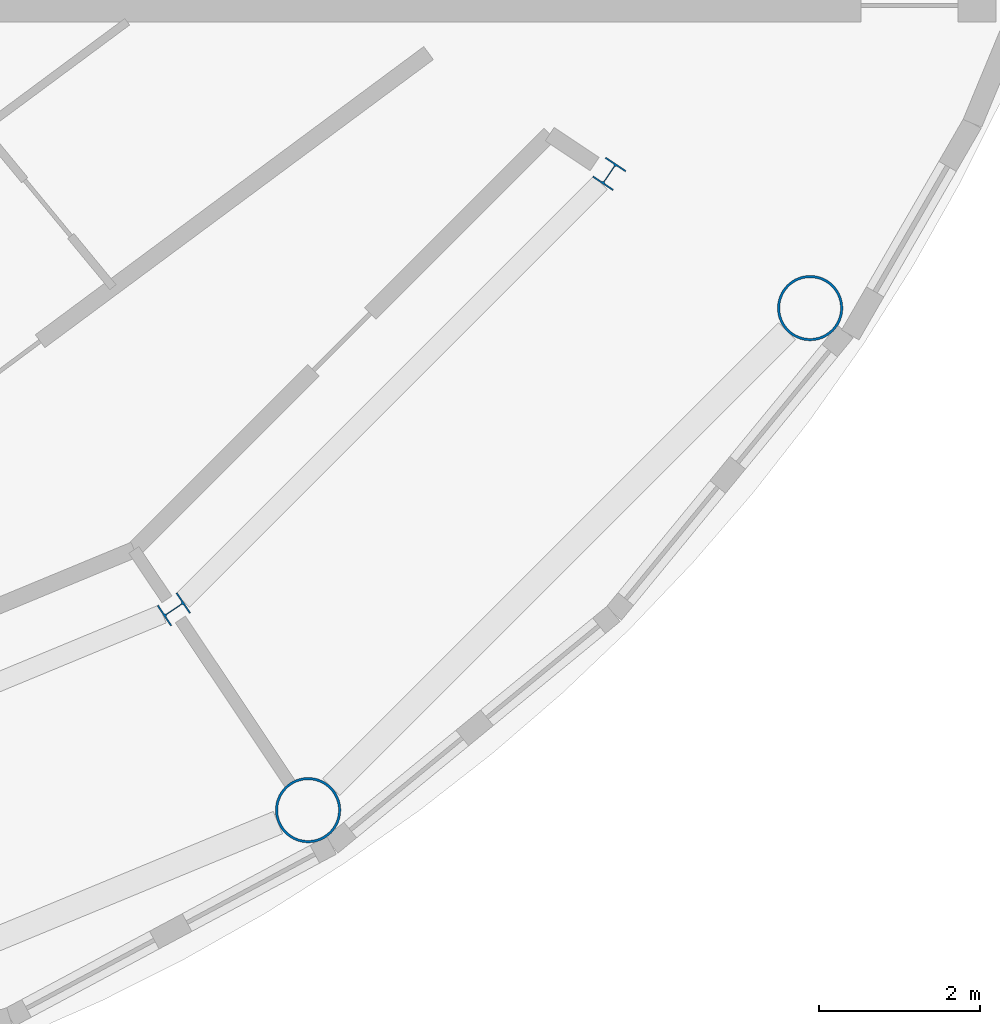
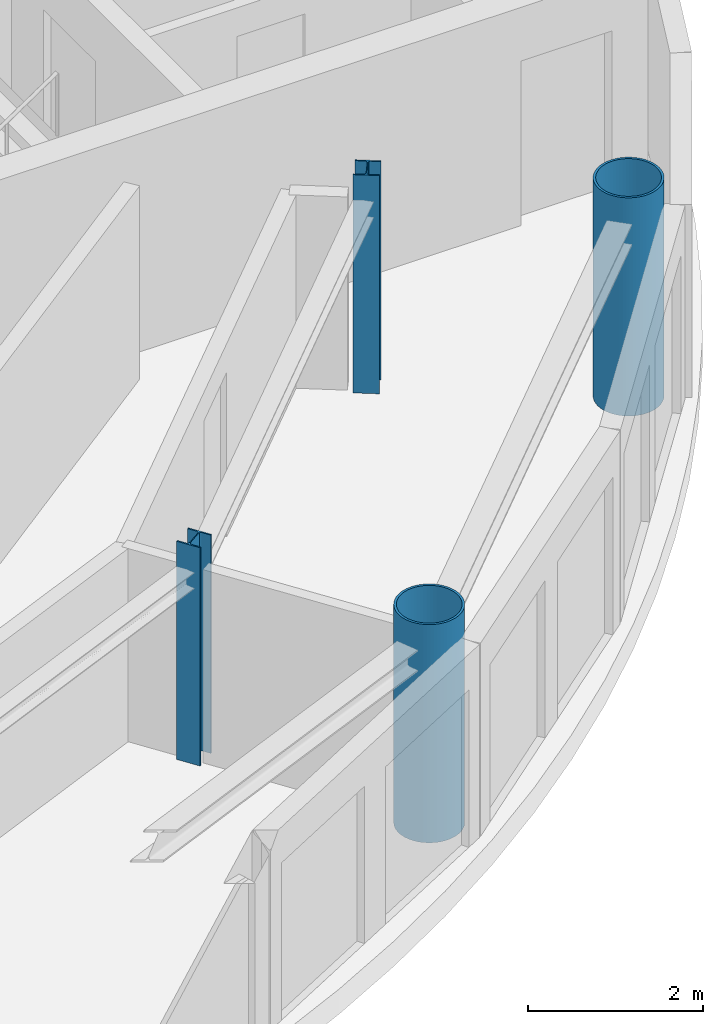
# One storey, part 3 of 17: 4 columns.
"""IFC4 building model written with IfcOpenShell, lengths in metres."""

import ifcopenshell
import ifcopenshell.guid

model = None  # the IFC model being written
_history = None  # IfcOwnerHistory: only IFC2X3 demands one
_inside = {}  # id of a spatial element -> (the spatial element, [elements in it])
_under = {}  # id of a project, library or spatial element -> (it, [spatial elements below it])
_declared = {}  # id of a project -> (the project, [libraries it declares])
_typed = {}  # id of a type object -> (the type object, [elements of that type])
_made_of = {}  # id of a material, layer set ... -> (it, [elements and type objects made of it])


def new_model(schema):
    """Start an empty IFC model of exactly this schema.

    Asked for "IFC4X3", IfcOpenShell would pick the latest addendum, in which some entities
    have other attributes; the version numbers below select the first issue.
    IFC2X3 requires an IfcOwnerHistory on every rooted entity: one is made here for all.
    """
    global model, _history
    if schema == "IFC4X3":
        model = ifcopenshell.file(schema_version=(4, 3, 0, 0))
    else:
        model = ifcopenshell.file(schema=schema)
    _inside.clear()
    _under.clear()
    _declared.clear()
    _typed.clear()
    _made_of.clear()
    _history = None
    if model.schema == "IFC2X3":
        org = make("IfcOrganization", Name="unknown")
        user = make(
            "IfcPersonAndOrganization",
            ThePerson=make("IfcPerson", FamilyName="unknown"),
            TheOrganization=org,
        )
        app = make(
            "IfcApplication",
            ApplicationDeveloper=org,
            Version="unknown",
            ApplicationFullName="unknown",
            ApplicationIdentifier="unknown",
        )
        _history = make(
            "IfcOwnerHistory",
            OwningUser=user,
            OwningApplication=app,
            ChangeAction="ADDED",
            CreationDate=0,
        )
    return model


def make(cls, **values):
    """One entity of the class cls with the attributes given. An attribute that is None is left unset."""
    return model.create_entity(
        cls, **{name: value for name, value in values.items() if value is not None}
    )


def rooted(cls, **values):
    """An entity with a GlobalId (a new one), such as an element, a storey or a relation."""
    return make(cls, GlobalId=ifcopenshell.guid.new(), OwnerHistory=_history, **values)


def si_unit(unit_type, name, prefix=None):
    """IfcSIUnit, for example si_unit("LENGTHUNIT", "METRE", prefix="MILLI")."""
    return make("IfcSIUnit", UnitType=unit_type, Prefix=prefix, Name=name)


def assignment(units):
    """IfcUnitAssignment: the units of a project."""
    return None if units is None else make("IfcUnitAssignment", Units=units)


def point(xyz):
    """IfcCartesianPoint."""
    return None if xyz is None else make("IfcCartesianPoint", Coordinates=xyz)


def direction(xyz):
    """IfcDirection."""
    return None if xyz is None else make("IfcDirection", DirectionRatios=xyz)


def frame(location, z_axis=None, x_axis=None):
    """IfcAxis2Placement3D, a coordinate frame: its origin and axes. An axis left out is left unset."""
    return make(
        "IfcAxis2Placement3D",
        Location=point(location),
        Axis=direction(z_axis),
        RefDirection=direction(x_axis),
    )


def frame_2d(location, x_axis=None):
    """IfcAxis2Placement2D, a coordinate frame in the plane: its origin and x axis."""
    return make(
        "IfcAxis2Placement2D", Location=point(location), RefDirection=direction(x_axis)
    )


def origin():
    """The frame at (0, 0, 0) with its axes left unset."""
    return frame((0.0, 0.0, 0.0))


def origin_2d():
    """The frame at (0, 0) in the plane with its x axis left unset."""
    return frame_2d((0.0, 0.0))


def place(relative_to, where):
    """IfcLocalPlacement: puts the frame where relative to a parent placement (None: the world)."""
    return make(
        "IfcLocalPlacement", PlacementRelTo=relative_to, RelativePlacement=where
    )


def context(
    kind, dimensions, precision=None, world=None, true_north=None, identifier=None
):
    """IfcGeometricRepresentationContext, for example the 3D "Model" context."""
    return make(
        "IfcGeometricRepresentationContext",
        ContextIdentifier=identifier,
        ContextType=kind,
        CoordinateSpaceDimension=dimensions,
        Precision=precision,
        WorldCoordinateSystem=world,
        TrueNorth=true_north,
    )


def subcontext(parent, identifier, kind, view, scale=None):
    """IfcGeometricRepresentationSubContext, for example "Body" below "Model"."""
    return make(
        "IfcGeometricRepresentationSubContext",
        ContextIdentifier=identifier,
        ContextType=kind,
        ParentContext=parent,
        TargetScale=scale,
        TargetView=view,
    )


def project(units=None, contexts=None):
    """IfcProject with its units and contexts."""
    return rooted(
        "IfcProject",
        Name="project",
        RepresentationContexts=contexts,
        UnitsInContext=assignment(units),
    )


def spatial(cls, under=None, at=None, **own):
    """A site, building, storey or space (cls), placed at a placement, below another one or the project."""
    s = rooted(cls, ObjectPlacement=at, **own)
    if under is not None:
        _under.setdefault(under.id(), (under, []))[1].append(s)
    return s


def profile(cls, at=None, kind="AREA", **sizes):
    """A parametric profile (cls). Its sizes go by their IFC names, for example OverallWidth=200.0."""
    return make(cls, ProfileType=kind, Position=at, **sizes)


def hollow_circle(**sizes):
    """IfcCircleHollowProfileDef."""
    return profile("IfcCircleHollowProfileDef", **sizes)


def i_section(**sizes):
    """IfcIShapeProfileDef."""
    return profile("IfcIShapeProfileDef", **sizes)


def extrude(swept, where, along, depth):
    """IfcExtrudedAreaSolid: the profile swept, set in the frame where, extruded along a direction by depth."""
    return make(
        "IfcExtrudedAreaSolid",
        SweptArea=swept,
        Position=where,
        ExtrudedDirection=direction(along),
        Depth=depth,
    )


def shape(context_of_items, identifier, shape_type, items):
    """IfcShapeRepresentation: the items that make up one representation, for example the "Body"."""
    return make(
        "IfcShapeRepresentation",
        ContextOfItems=context_of_items,
        RepresentationIdentifier=identifier,
        RepresentationType=shape_type,
        Items=items,
    )


def material(Name=None, Category=None):
    """IfcMaterial."""
    return make("IfcMaterial", Name=Name, Category=Category)


def material_profile(
    of_material, cross_section, Name=None, Category=None, Priority=None
):
    """IfcMaterialProfile: a cross section and its material."""
    return make(
        "IfcMaterialProfile",
        Name=Name,
        Material=of_material,
        Profile=cross_section,
        Priority=Priority,
        Category=Category,
    )


def profile_set(profiles, Name=None, composite=None):
    """IfcMaterialProfileSet."""
    return make(
        "IfcMaterialProfileSet",
        Name=Name,
        MaterialProfiles=profiles,
        CompositeProfile=composite,
    )


def made_of(thing, what):
    """Note that an element or type object is made of a material, layer set ...; save() writes the relation."""
    if what is not None:
        _made_of.setdefault(what.id(), (what, []))[1].append(thing)
    return thing


def type_object(cls, material=None, **own):
    """A type object (cls), such as IfcWallType, which elements share."""
    return made_of(rooted(cls, **own), material)


def element(
    cls,
    number,
    at=None,
    inside=None,
    cuts=None,
    type_object=None,
    material=None,
    context=None,
    identifier="Body",
    shape_type=None,
    held_by="IfcProductDefinitionShape",
    body=None,
    shapes=None,
    **own,
):
    """One element of the class cls, such as IfcWall. Its Tag is "e" and its number.

    at: its placement. inside: the storey or other place that contains it. cuts: it is an
    opening in that element (IfcRelVoidsElement). A single representation is given by context,
    identifier, shape_type and body (its items); several are given by shapes. held_by: the class
    of the entity that holds the representations. save() writes the other relations.
    """
    e = rooted(cls, Tag="e%d" % number, ObjectPlacement=at, **own)
    if body is not None:
        shapes = [shape(context, identifier, shape_type, body)]
    if shapes is not None:
        e.Representation = make(held_by, Representations=shapes)
    if inside is not None:
        _inside.setdefault(inside.id(), (inside, []))[1].append(e)
    if cuts is not None:
        rooted(
            "IfcRelVoidsElement", RelatingBuildingElement=cuts, RelatedOpeningElement=e
        )
    if type_object is not None:
        _typed.setdefault(type_object.id(), (type_object, []))[1].append(e)
    return made_of(e, material)


def aggregate(whole, parts):
    """IfcRelAggregates: a whole, such as a stair, and the parts it consists of."""
    return rooted("IfcRelAggregates", RelatingObject=whole, RelatedObjects=parts)


def save(model, path):
    """Write the relations noted so far, then the file.

    IfcRelAggregates (storeys below a building ...), IfcRelContainedInSpatialStructure (elements
    in a storey), IfcRelDefinesByType, IfcRelAssociatesMaterial and IfcRelDeclares: one each for
    every whole, place, type object, material and project.
    """
    for whole, parts in _under.values():
        aggregate(whole, parts)
    for where, things in _inside.values():
        rooted(
            "IfcRelContainedInSpatialStructure",
            RelatedElements=things,
            RelatingStructure=where,
        )
    for kind, things in _typed.values():
        rooted("IfcRelDefinesByType", RelatedObjects=things, RelatingType=kind)
    for what, things in _made_of.values():
        rooted("IfcRelAssociatesMaterial", RelatedObjects=things, RelatingMaterial=what)
    for by, libraries in _declared.values():
        rooted("IfcRelDeclares", RelatingContext=by, RelatedDefinitions=libraries)
    model.write(path)


model = new_model("IFC4")

# Units and contexts
model_context = context("Model", 3, precision=1e-05, world=origin(), true_north=direction((0.0, 1.0)))
body_context = subcontext(model_context, "Body", "Model", "MODEL_VIEW")
ifc_project = project(units=[si_unit("LENGTHUNIT", "METRE"), si_unit("AREAUNIT", "SQUARE_METRE"), si_unit("VOLUMEUNIT", "CUBIC_METRE"), si_unit("PLANEANGLEUNIT", "RADIAN"), si_unit("MASSUNIT", "GRAM", prefix="KILO")], contexts=[model_context])

# Site, building, storey
site_placement = place(None, origin())
site = spatial("IfcSite", under=ifc_project, at=site_placement, CompositionType="ELEMENT")
building_placement = place(site_placement, origin())
building = spatial("IfcBuilding", under=site, at=building_placement, Name="Maasbend Ring Residences", CompositionType="ELEMENT")
storey_placement = place(building_placement, frame((0.0, 0.0, 249.300048828125)))
storey = spatial("IfcBuildingStorey", under=building, at=storey_placement, Name="L72", CompositionType="ELEMENT", Elevation=249.300048828125)

# Columns
ifc_material_1 = material(Name="Composite concrete-filled steel tube S460NH / C80/95", Category="concrete")
ifc_material_profile_1 = material_profile(ifc_material_1, hollow_circle(Radius=0.406494140625, WallThickness=0.030029296875, at=origin_2d()), Name="Composite tube column CHS 813x30")
ifc_profile_set_1 = profile_set([ifc_material_profile_1], Name="Composite concrete-filled steel tube S460NH / C80/95")
column_type_1 = type_object("IfcColumnType", Name="Composite tube column CHS 813x30", PredefinedType="COLUMN", material=ifc_profile_set_1)
for number, where, z_axis, x_axis, name in (
    (1, (12.555908203125, -18.791259765625, 0.0), (0.0, 0.0, 1.0), (1.0, 0.0, 0.0), "Outer column R14"),
    (2, (18.791259765625, -12.555908203125, 0.0), (0.0, 0.0, 1.0), (1.0, 0.0, 0.0), "Outer column R15"),
):
    element("IfcColumn", number, at=place(storey_placement, frame(where, z_axis=z_axis, x_axis=x_axis)), inside=storey, type_object=column_type_1, Name=name, PredefinedType="COLUMN", context=body_context, shape_type="SweptSolid", body=[
        extrude(hollow_circle(Radius=0.406494140625, WallThickness=0.030029296875, at=origin_2d()), origin(), (0.0, 0.0, 1.0), 3.050048828125),
    ])
ifc_material_2 = material(Name="Steel S355J2", Category="steel")
ifc_material_profile_2 = material_profile(ifc_material_2, i_section(OverallWidth=0.300048828125, OverallDepth=0.300048828125, WebThickness=0.010986328125, FlangeThickness=0.01904296875, FilletRadius=0.027099609375, at=origin_2d()), Name="HEB 300")
ifc_profile_set_2 = profile_set([ifc_material_profile_2], Name="Steel S355J2")
column_type_2 = type_object("IfcColumnType", Name="Steel column HEB 300", PredefinedType="COLUMN", material=ifc_profile_set_2)
for number, where, z_axis, x_axis, name in (
    (3, (10.88916015625, -16.296875, 0.0), (0.0, 0.0, 1.0), (0.55557023302, -0.831469612303, 0.0), "Corridor ring column R14"),
    (4, (16.296875, -10.88916015625, 0.0), (0.0, 0.0, 1.0), (0.831469612303, -0.55557023302, 0.0), "Corridor ring column R15"),
):
    element("IfcColumn", number, at=place(storey_placement, frame(where, z_axis=z_axis, x_axis=x_axis)), inside=storey, type_object=column_type_2, Name=name, PredefinedType="COLUMN", context=body_context, shape_type="SweptSolid", body=[
        extrude(i_section(OverallWidth=0.300048828125, OverallDepth=0.300048828125, WebThickness=0.010986328125, FlangeThickness=0.01904296875, FilletRadius=0.027099609375, at=origin_2d()), origin(), (0.0, 0.0, 1.0), 3.050048828125),
    ])

save(model, "model.ifc")
